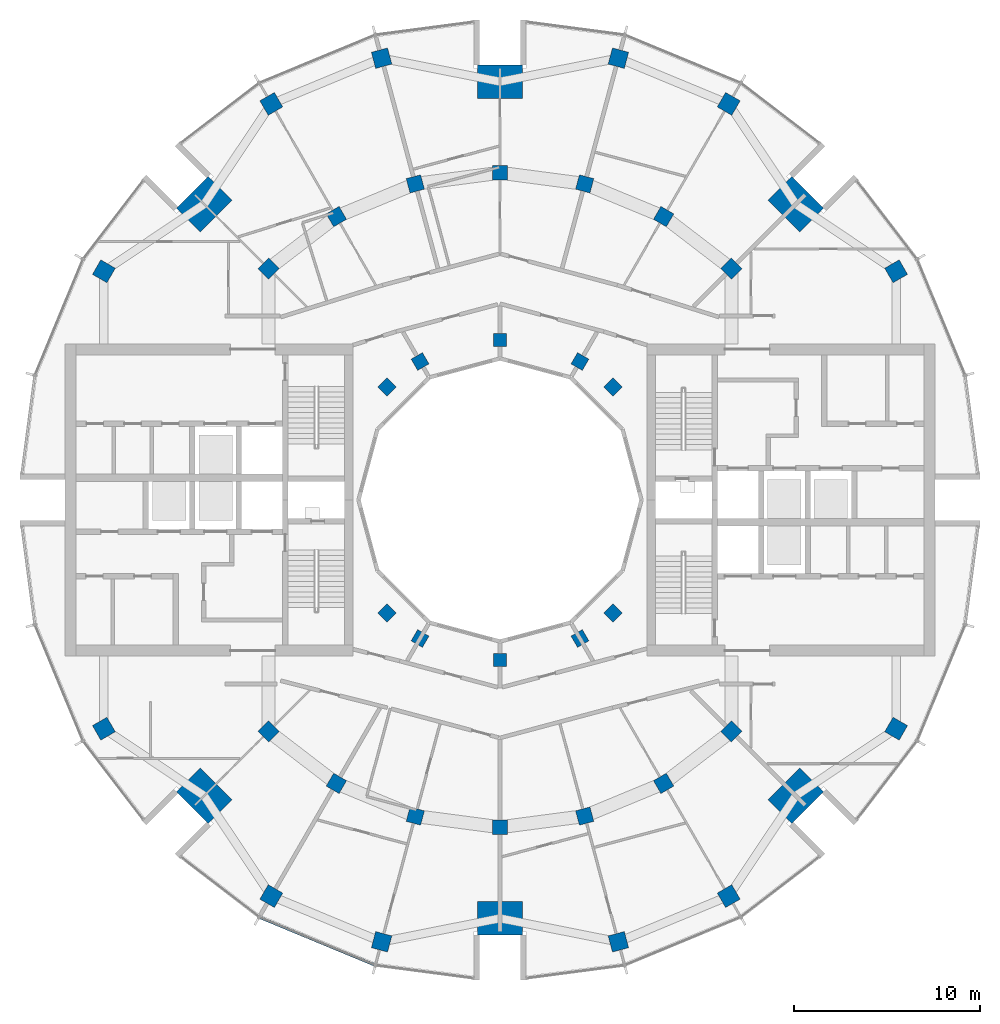
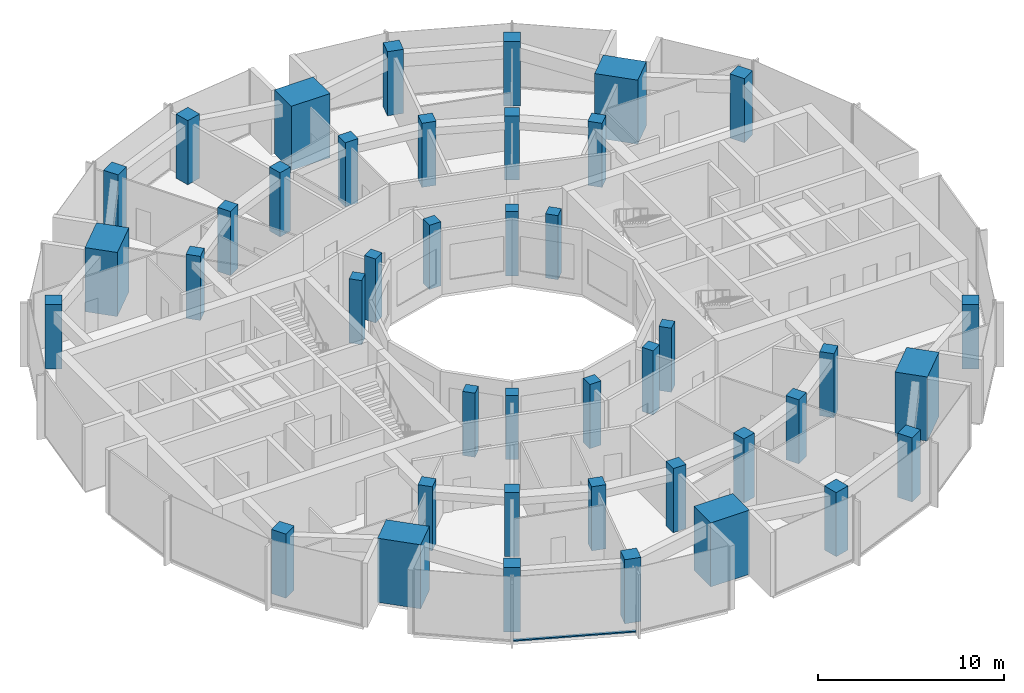
# One storey, part 1 of 15: 42 columns, 1 member, 1 element without a shape of its own.
"""IFC4 building model written with IfcOpenShell, lengths in metres."""

from ifc_helpers import new_model, si_unit, direction, frame, origin, origin_2d, place, context, subcontext, project, spatial, rectangle, extrude, material, layer, layer_set, material_profile, profile_set, type_object, element, aggregate, save


model = new_model("IFC4")

# Units and contexts
model_context = context("Model", 3, precision=1e-05, world=origin(), true_north=direction((0.0, 1.0)))
body_context = subcontext(model_context, "Body", "Model", "MODEL_VIEW")
ifc_project = project(units=[si_unit("LENGTHUNIT", "METRE"), si_unit("AREAUNIT", "SQUARE_METRE"), si_unit("VOLUMEUNIT", "CUBIC_METRE"), si_unit("PLANEANGLEUNIT", "RADIAN"), si_unit("MASSUNIT", "GRAM", prefix="KILO")], contexts=[model_context])

# Site, building, storey
site_placement = place(None, origin())
site = spatial("IfcSite", under=ifc_project, at=site_placement, CompositionType="ELEMENT")
building_placement = place(site_placement, origin())
building = spatial("IfcBuilding", under=site, at=building_placement, Name="Torre Brocal", CompositionType="ELEMENT")
storey_placement = place(building_placement, frame((0.0, 0.0, 225.10009765625)))
storey = spatial("IfcBuildingStorey", under=building, at=storey_placement, Name="L52", CompositionType="ELEMENT", Elevation=225.10009765625)

# Columns
ifc_material_1 = material(Name="Concrete C60", Category="concrete")
ifc_material_profile_1 = material_profile(ifc_material_1, rectangle(XDim=1.800048828125, YDim=2.39990234375, at=origin_2d()), Name="RC 1800X2400")
ifc_profile_set_1 = profile_set([ifc_material_profile_1], Name="Concrete C60")
column_type_1 = type_object("IfcColumnType", Name="RC COLUMN 1800X2400 C60", PredefinedType="COLUMN", material=ifc_profile_set_1)
for number, where, z_axis, x_axis, name in (
    (1, (95.909912109375, 90.909912109375, 0.0), (0.0, 0.0, 1.0), (0.707106781187, 0.707106781187, 0.0), "Column MC-1"),
    (2, (80.0, 97.5, 0.0), (0.0, 0.0, 1.0), (0.0, 1.0, 0.0), "Column MC-2"),
    (3, (64.090087890625, 90.909912109375, 0.0), (0.0, 0.0, 1.0), (-0.707106781187, 0.707106781187, 0.0), "Column MC-3"),
    (4, (64.090087890625, 59.090087890625, 0.0), (0.0, 0.0, 1.0), (-0.707106781187, -0.707106781187, 0.0), "Column MC-5"),
    (5, (80.0, 52.5, 0.0), (0.0, 0.0, 1.0), (0.0, -1.0, 0.0), "Column MC-6"),
    (6, (95.909912109375, 59.090087890625, 0.0), (0.0, 0.0, 1.0), (0.707106781187, -0.707106781187, 0.0), "Column MC-7"),
):
    element("IfcColumn", number, at=place(storey_placement, frame(where, z_axis=z_axis, x_axis=x_axis)), inside=storey, type_object=column_type_1, Name=name, PredefinedType="COLUMN", context=body_context, shape_type="SweptSolid", body=[
        extrude(rectangle(XDim=1.800048828125, YDim=2.39990234375, at=origin_2d()), origin(), (0.0, 0.0, 1.0), 4.199951171875),
    ])
ifc_material_2 = material(Name="Concrete C60", Category="concrete")
ifc_material_profile_2 = material_profile(ifc_material_2, rectangle(XDim=0.699951171875, YDim=0.699951171875, at=origin_2d()), Name="RC 700X700")
ifc_profile_set_2 = profile_set([ifc_material_profile_2], Name="Concrete C60")
column_type_2 = type_object("IfcColumnType", Name="RC COLUMN 700X700 C60", PredefinedType="COLUMN", material=ifc_profile_set_2)
for number, where, z_axis, x_axis, name in (
    (7, (86.0810546875, 81.0810546875, 0.0), (0.0, 0.0, 1.0), (0.707106781187, 0.707106781187, 0.0), "Column C-I03"),
    (8, (84.300048828125, 82.44775390625, 0.0), (0.0, 0.0, 1.0), (0.5, 0.866025403784, 0.0), "Column C-I04"),
    (9, (80.0, 83.60009765625, 0.0), (0.0, 0.0, 1.0), (0.0, 1.0, 0.0), "Column C-I06"),
    (10, (75.699951171875, 82.44775390625, 0.0), (0.0, 0.0, 1.0), (-0.5, 0.866025403784, 0.0), "Column C-I08"),
    (11, (73.9189453125, 81.0810546875, 0.0), (0.0, 0.0, 1.0), (-0.707106781187, 0.707106781187, 0.0), "Column C-I09"),
    (12, (73.9189453125, 68.9189453125, 0.0), (0.0, 0.0, 1.0), (-0.707106781187, -0.707106781187, 0.0), "Column C-I15"),
    (13, (75.699951171875, 67.55224609375, 0.0), (0.0, 0.0, 1.0), (-0.5, -0.866025403784, 0.0), "Column C-I16"),
    (14, (80.0, 66.39990234375, 0.0), (0.0, 0.0, 1.0), (0.0, -1.0, 0.0), "Column C-I18"),
    (15, (84.300048828125, 67.55224609375, 0.0), (0.0, 0.0, 1.0), (0.5, -0.866025403784, 0.0), "Column C-I20"),
    (16, (86.0810546875, 68.9189453125, 0.0), (0.0, 0.0, 1.0), (0.707106781187, -0.707106781187, 0.0), "Column C-I21"),
):
    element("IfcColumn", number, at=place(storey_placement, frame(where, z_axis=z_axis, x_axis=x_axis)), inside=storey, type_object=column_type_2, Name=name, PredefinedType="COLUMN", context=body_context, shape_type="SweptSolid", body=[
        extrude(rectangle(XDim=0.699951171875, YDim=0.699951171875, at=origin_2d()), origin(), (0.0, 0.0, 1.0), 4.199951171875),
    ])
ifc_material_3 = material(Name="Concrete C60", Category="concrete")
ifc_material_profile_3 = material_profile(ifc_material_3, rectangle(XDim=0.800048828125, YDim=0.800048828125, at=origin_2d()), Name="RC 800X800")
ifc_profile_set_3 = profile_set([ifc_material_profile_3], Name="Concrete C60")
column_type_3 = type_object("IfcColumnType", Name="RC COLUMN 800X800 C60", PredefinedType="COLUMN", material=ifc_profile_set_3)
for number, where, z_axis, x_axis, name in (
    (17, (92.445068359375, 87.445068359375, 0.0), (0.0, 0.0, 1.0), (0.707106781187, 0.707106781187, 0.0), "Column C-M03"),
    (18, (88.800048828125, 90.241943359375, 0.0), (0.0, 0.0, 1.0), (0.5, 0.866025403784, 0.0), "Column C-M04"),
    (19, (84.55517578125, 92.000244140625, 0.0), (0.0, 0.0, 1.0), (0.258819045103, 0.965925826289, 0.0), "Column C-M05"),
    (20, (80.0, 92.60009765625, 0.0), (0.0, 0.0, 1.0), (0.0, 1.0, 0.0), "Column C-M06"),
    (21, (75.44482421875, 92.000244140625, 0.0), (0.0, 0.0, 1.0), (-0.258819045103, 0.965925826289, 0.0), "Column C-M07"),
    (22, (71.199951171875, 90.241943359375, 0.0), (0.0, 0.0, 1.0), (-0.5, 0.866025403784, 0.0), "Column C-M08"),
    (23, (67.554931640625, 87.445068359375, 0.0), (0.0, 0.0, 1.0), (-0.707106781187, 0.707106781187, 0.0), "Column C-M09"),
    (24, (67.554931640625, 62.554931640625, 0.0), (0.0, 0.0, 1.0), (-0.707106781187, -0.707106781187, 0.0), "Column C-M15"),
    (25, (71.199951171875, 59.758056640625, 0.0), (0.0, 0.0, 1.0), (-0.5, -0.866025403784, 0.0), "Column C-M16"),
    (26, (75.44482421875, 57.999755859375, 0.0), (0.0, 0.0, 1.0), (-0.258819045103, -0.965925826289, 0.0), "Column C-M17"),
    (27, (80.0, 57.39990234375, 0.0), (0.0, 0.0, 1.0), (0.0, -1.0, 0.0), "Column C-M18"),
    (28, (84.55517578125, 57.999755859375, 0.0), (0.0, 0.0, 1.0), (0.258819045103, -0.965925826289, 0.0), "Column C-M19"),
    (29, (88.800048828125, 59.758056640625, 0.0), (0.0, 0.0, 1.0), (0.5, -0.866025403784, 0.0), "Column C-M20"),
    (30, (92.445068359375, 62.554931640625, 0.0), (0.0, 0.0, 1.0), (0.707106781187, -0.707106781187, 0.0), "Column C-M21"),
):
    element("IfcColumn", number, at=place(storey_placement, frame(where, z_axis=z_axis, x_axis=x_axis)), inside=storey, type_object=column_type_3, Name=name, PredefinedType="COLUMN", context=body_context, shape_type="SweptSolid", body=[
        extrude(rectangle(XDim=0.800048828125, YDim=0.800048828125, at=origin_2d()), origin(), (0.0, 0.0, 1.0), 4.199951171875),
    ])
ifc_material_4 = material(Name="Concrete C60", Category="concrete")
ifc_material_profile_4 = material_profile(ifc_material_4, rectangle(XDim=0.89990234375, YDim=0.89990234375, at=origin_2d()), Name="RC 900X900")
ifc_profile_set_4 = profile_set([ifc_material_profile_4], Name="Concrete C60")
column_type_4 = type_object("IfcColumnType", Name="RC COLUMN 900X900 C60", PredefinedType="COLUMN", material=ifc_profile_set_4)
for number, where, z_axis, x_axis, name in (
    (31, (101.30419921875, 87.300048828125, 0.0), (0.0, 0.0, 1.0), (0.866025403784, 0.5, 0.0), "Column C-O02"),
    (32, (92.300048828125, 96.30419921875, 0.0), (0.0, 0.0, 1.0), (0.5, 0.866025403784, 0.0), "Column C-O04"),
    (33, (86.366943359375, 98.76171875, 0.0), (0.0, 0.0, 1.0), (0.258819045103, 0.965925826289, 0.0), "Column C-O05"),
    (34, (73.633056640625, 98.76171875, 0.0), (0.0, 0.0, 1.0), (-0.258819045103, 0.965925826289, 0.0), "Column C-O07"),
    (35, (67.699951171875, 96.30419921875, 0.0), (0.0, 0.0, 1.0), (-0.5, 0.866025403784, 0.0), "Column C-O08"),
    (36, (58.69580078125, 87.300048828125, 0.0), (0.0, 0.0, 1.0), (-0.866025403784, 0.5, 0.0), "Column C-O10"),
    (37, (58.69580078125, 62.699951171875, 0.0), (0.0, 0.0, 1.0), (-0.866025403784, -0.5, 0.0), "Column C-O14"),
    (38, (67.699951171875, 53.69580078125, 0.0), (0.0, 0.0, 1.0), (-0.5, -0.866025403784, 0.0), "Column C-O16"),
    (39, (73.633056640625, 51.23828125, 0.0), (0.0, 0.0, 1.0), (-0.258819045103, -0.965925826289, 0.0), "Column C-O17"),
    (40, (86.366943359375, 51.23828125, 0.0), (0.0, 0.0, 1.0), (0.258819045103, -0.965925826289, 0.0), "Column C-O19"),
    (41, (92.300048828125, 53.69580078125, 0.0), (0.0, 0.0, 1.0), (0.5, -0.866025403784, 0.0), "Column C-O20"),
    (42, (101.30419921875, 62.699951171875, 0.0), (0.0, 0.0, 1.0), (0.866025403784, -0.5, 0.0), "Column C-O22"),
):
    element("IfcColumn", number, at=place(storey_placement, frame(where, z_axis=z_axis, x_axis=x_axis)), inside=storey, type_object=column_type_4, Name=name, PredefinedType="COLUMN", context=body_context, shape_type="SweptSolid", body=[
        extrude(rectangle(XDim=0.89990234375, YDim=0.89990234375, at=origin_2d()), origin(), (0.0, 0.0, 1.0), 4.199951171875),
    ])

# Curtain wall, member
ifc_material_5 = material(Name="Aluminium and glass", Category="aluminium")
ifc_layer = layer(ifc_material_5, 0.199951171875)
ifc_layer_set = layer_set([ifc_layer], Name="Aluminium and glass")
curtain_wall_type = type_object("IfcCurtainWallType", Name="CW-1 CURTAIN WALL 4200 HIGH", PredefinedType="NOTDEFINED", material=ifc_layer_set)
curtain_wall_placement = place(storey_placement, origin())
curtain_wall = element("IfcCurtainWall", 43, at=curtain_wall_placement, inside=storey, type_object=curtain_wall_type, Name="CW-1 RUN 17", PredefinedType="NOTDEFINED")
ifc_material_6 = material(Name="Aluminium, dark anodised", Category="aluminium")
ifc_material_profile_5 = material_profile(ifc_material_6, rectangle(XDim=0.159912109375, YDim=0.080078125, at=origin_2d()), Name="CW-1 TRANSOM 160X80")
ifc_profile_set_5 = profile_set([ifc_material_profile_5], Name="Aluminium, dark anodised")
member_type = type_object("IfcMemberType", Name="CW-1 TRANSOM 160X80", PredefinedType="USERDEFINED", material=ifc_profile_set_5)
member_placement = place(storey_placement, frame((67.10595703125, 52.547607421875, 0.039794921875), z_axis=(0.923887344364, -0.38266457234, 0.0), x_axis=(0.38266457234, 0.923887344364, 0.0)))
member = element("IfcMember", 44, at=member_placement, type_object=member_type, Name="CW1-5 transom 1.1", ObjectType="TRANSOM", PredefinedType="USERDEFINED", context=body_context, shape_type="SweptSolid", body=[
    extrude(rectangle(XDim=0.159912109375, YDim=0.080078125, at=origin_2d()), origin(), (0.0, 0.0, 1.0), 6.640869140625),
])
aggregate(curtain_wall, [member])

save(model, "model.ifc")
